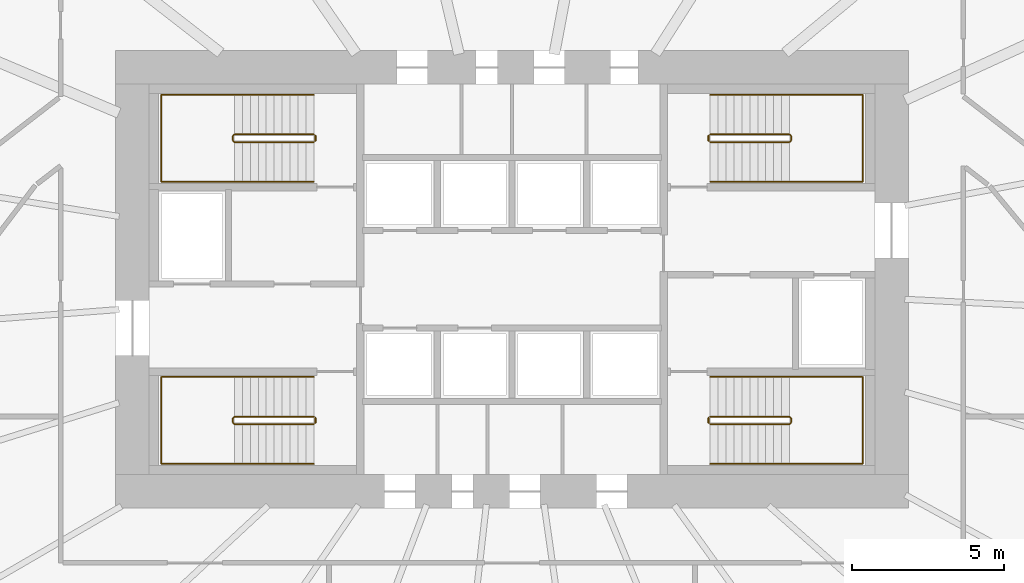
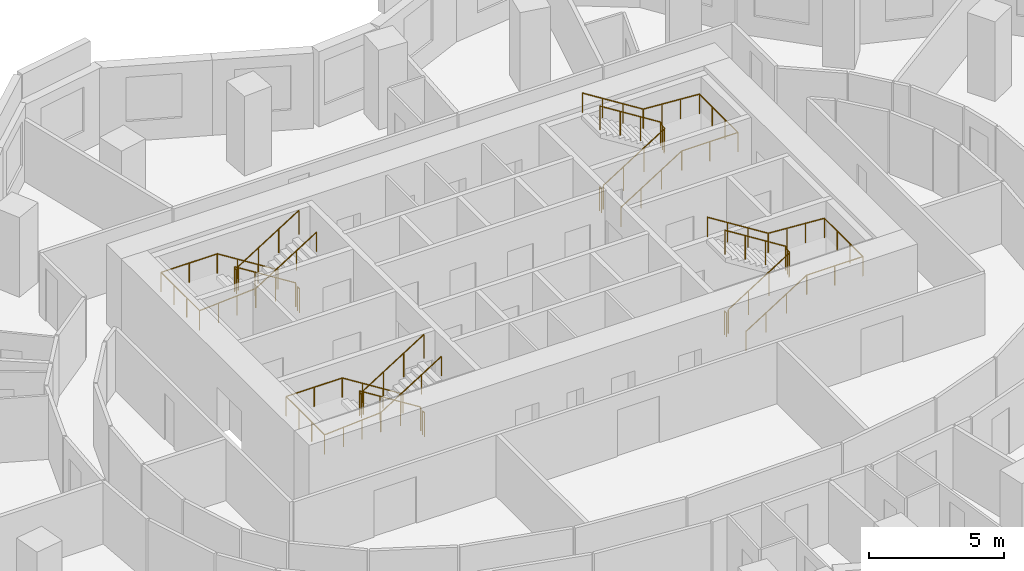
# One storey, part 10 of 10: 12 railings.
"""IFC4 building model written with IfcOpenShell, lengths in metres."""

from ifc_helpers import new_model, si_unit, direction, frame, origin, origin_2d, place, context, subcontext, project, spatial, circle, extrude, material, type_object, element, save


model = new_model("IFC4")

# Units and contexts
model_context = context("Model", 3, precision=1e-05, world=origin(), true_north=direction((0.0, 1.0)))
body_context = subcontext(model_context, "Body", "Model", "MODEL_VIEW")
ifc_project = project(units=[si_unit("LENGTHUNIT", "METRE"), si_unit("AREAUNIT", "SQUARE_METRE"), si_unit("VOLUMEUNIT", "CUBIC_METRE"), si_unit("PLANEANGLEUNIT", "RADIAN"), si_unit("MASSUNIT", "GRAM", prefix="KILO")], contexts=[model_context])

# Site, building, storey
site_placement = place(None, origin())
site = spatial("IfcSite", under=ifc_project, at=site_placement, CompositionType="ELEMENT")
building_placement = place(site_placement, origin())
building = spatial("IfcBuilding", under=site, at=building_placement, Name="Rubra Terraces Tower", CompositionType="ELEMENT")
storey_placement = place(building_placement, frame((0.0, 0.0, 110.39990234375)))
storey = spatial("IfcBuildingStorey", under=building, at=storey_placement, Name="L26", CompositionType="ELEMENT", Elevation=110.39990234375)

# Railings
ifc_material = material(Name="Stainless steel", Category="steel")
railing_type_1 = type_object("IfcRailingType", Name="Core stair guard 1100", PredefinedType="GUARDRAIL", material=ifc_material)
railing_1_placement = place(storey_placement, frame((-6.5, 0.0, 0.163818359375)))
element("IfcRailing", 1, at=railing_1_placement, inside=storey, type_object=railing_type_1, Name="L26 stair S1 guard 1", PredefinedType="GUARDRAIL", context=body_context, shape_type="SweptSolid", body=[
    extrude(circle(Radius=0.02392578125, at=origin_2d()), frame((0.0, 0.0, 1.076171875), z_axis=(-0.846360218416, 0.0, 0.532610909279), x_axis=(0.0, -1.0, 0.0)), (0.0, 0.0, 1.0), 3.072021484375),
    extrude(circle(Radius=0.02392578125, at=origin_2d()), frame((-2.60009765625, 0.0, 2.71240234375), z_axis=(-0.705375805398, -0.708833529934, 0.0), x_axis=(0.708833529934, -0.705375805398, 0.0)), (0.0, 0.0, 1.0), 0.070556640625),
    extrude(circle(Radius=0.02392578125, at=origin_2d()), frame((-2.64990234375, -0.050048828125, 2.71240234375), z_axis=(0.0, -1.0, 0.0), x_axis=(1.0, 0.0, 0.0)), (0.0, 0.0, 1.0), 0.14990234375),
    extrude(circle(Radius=0.02392578125, at=origin_2d()), frame((-2.64990234375, -0.199951171875, 2.71240234375), z_axis=(0.279546231943, -0.280916556609, 0.91811752648), x_axis=(0.708833529934, 0.705375805398, 0.0)), (0.0, 0.0, 1.0), 0.17822265625),
    extrude(circle(Radius=0.02392578125, at=origin_2d()), frame((-2.60009765625, -0.25, 2.8759765625), z_axis=(0.846324394277, 0.0, 0.532667832379), x_axis=(0.0, 1.0, 0.0)), (0.0, 0.0, 1.0), 3.072265625),
    extrude(circle(Radius=0.02099609375, at=origin_2d()), origin(), (0.0, 0.0, 1.0), 1.052001953125),
    extrude(circle(Radius=0.02099609375, at=origin_2d()), frame((-0.86669921875, 0.0, 0.54541015625)), (0.0, 0.0, 1.0), 1.052001953125),
    extrude(circle(Radius=0.02099609375, at=origin_2d()), frame((-1.7333984375, 0.0, 1.0908203125)), (0.0, 0.0, 1.0), 1.052001953125),
    extrude(circle(Radius=0.02099609375, at=origin_2d()), frame((-2.60009765625, 0.0, 1.63623046875)), (0.0, 0.0, 1.0), 1.052001953125),
    extrude(circle(Radius=0.02099609375, at=origin_2d()), frame((-2.64990234375, -0.050048828125, 1.63623046875)), (0.0, 0.0, 1.0), 1.052001953125),
    extrude(circle(Radius=0.02099609375, at=origin_2d()), frame((-2.64990234375, -0.199951171875, 1.63623046875)), (0.0, 0.0, 1.0), 1.052001953125),
    extrude(circle(Radius=0.02099609375, at=origin_2d()), frame((-2.60009765625, -0.25, 1.7998046875)), (0.0, 0.0, 1.0), 1.052001953125),
    extrude(circle(Radius=0.02099609375, at=origin_2d()), frame((-1.7333984375, -0.25, 2.34521484375)), (0.0, 0.0, 1.0), 1.052001953125),
    extrude(circle(Radius=0.02099609375, at=origin_2d()), frame((-0.86669921875, -0.25, 2.890869140625)), (0.0, 0.0, 1.0), 1.052001953125),
    extrude(circle(Radius=0.02099609375, at=origin_2d()), frame((0.0, -0.25, 3.436279296875)), (0.0, 0.0, 1.0), 1.052001953125),
])
railing_2_placement = place(storey_placement, frame((-6.449951171875, -0.050048828125, 0.0)))
element("IfcRailing", 2, at=railing_2_placement, inside=storey, type_object=railing_type_1, Name="L26 stair S1 guard 2", PredefinedType="GUARDRAIL", context=body_context, shape_type="SweptSolid", body=[
    extrude(circle(Radius=0.02392578125, at=origin_2d()), frame((0.0, 0.0, 1.076171875), z_axis=(0.0, -1.0, 0.0), x_axis=(1.0, 0.0, 0.0)), (0.0, 0.0, 1.0), 0.14990234375),
    extrude(circle(Radius=0.02099609375, at=origin_2d()), origin(), (0.0, 0.0, 1.0), 1.052001953125),
    extrude(circle(Radius=0.02099609375, at=origin_2d()), frame((0.0, -0.14990234375, 0.0)), (0.0, 0.0, 1.0), 1.052001953125),
])
railing_3_placement = place(storey_placement, frame((-6.5, 9.25, 0.163818359375)))
element("IfcRailing", 3, at=railing_3_placement, inside=storey, type_object=railing_type_1, Name="L26 stair S2 guard 1", PredefinedType="GUARDRAIL", context=body_context, shape_type="SweptSolid", body=[
    extrude(circle(Radius=0.02392578125, at=origin_2d()), frame((0.0, 0.0, 1.076171875), z_axis=(-0.846360218416, 0.0, 0.532610909279), x_axis=(0.0, -1.0, 0.0)), (0.0, 0.0, 1.0), 3.072021484375),
    extrude(circle(Radius=0.02392578125, at=origin_2d()), frame((-2.60009765625, 0.0, 2.71240234375), z_axis=(-0.705375805398, -0.708833529934, 0.0), x_axis=(0.708833529934, -0.705375805398, 0.0)), (0.0, 0.0, 1.0), 0.070556640625),
    extrude(circle(Radius=0.02392578125, at=origin_2d()), frame((-2.64990234375, -0.050048828125, 2.71240234375), z_axis=(0.0, -1.0, 0.0), x_axis=(1.0, 0.0, 0.0)), (0.0, 0.0, 1.0), 0.14990234375),
    extrude(circle(Radius=0.02392578125, at=origin_2d()), frame((-2.64990234375, -0.199951171875, 2.71240234375), z_axis=(0.279546231943, -0.280916556609, 0.91811752648), x_axis=(0.708833529934, 0.705375805398, 0.0)), (0.0, 0.0, 1.0), 0.17822265625),
    extrude(circle(Radius=0.02392578125, at=origin_2d()), frame((-2.60009765625, -0.25, 2.8759765625), z_axis=(0.846324394277, 0.0, 0.532667832379), x_axis=(0.0, 1.0, 0.0)), (0.0, 0.0, 1.0), 3.072265625),
    extrude(circle(Radius=0.02099609375, at=origin_2d()), origin(), (0.0, 0.0, 1.0), 1.052001953125),
    extrude(circle(Radius=0.02099609375, at=origin_2d()), frame((-0.86669921875, 0.0, 0.54541015625)), (0.0, 0.0, 1.0), 1.052001953125),
    extrude(circle(Radius=0.02099609375, at=origin_2d()), frame((-1.7333984375, 0.0, 1.0908203125)), (0.0, 0.0, 1.0), 1.052001953125),
    extrude(circle(Radius=0.02099609375, at=origin_2d()), frame((-2.60009765625, 0.0, 1.63623046875)), (0.0, 0.0, 1.0), 1.052001953125),
    extrude(circle(Radius=0.02099609375, at=origin_2d()), frame((-2.64990234375, -0.050048828125, 1.63623046875)), (0.0, 0.0, 1.0), 1.052001953125),
    extrude(circle(Radius=0.02099609375, at=origin_2d()), frame((-2.64990234375, -0.199951171875, 1.63623046875)), (0.0, 0.0, 1.0), 1.052001953125),
    extrude(circle(Radius=0.02099609375, at=origin_2d()), frame((-2.60009765625, -0.25, 1.7998046875)), (0.0, 0.0, 1.0), 1.052001953125),
    extrude(circle(Radius=0.02099609375, at=origin_2d()), frame((-1.7333984375, -0.25, 2.34521484375)), (0.0, 0.0, 1.0), 1.052001953125),
    extrude(circle(Radius=0.02099609375, at=origin_2d()), frame((-0.86669921875, -0.25, 2.890869140625)), (0.0, 0.0, 1.0), 1.052001953125),
    extrude(circle(Radius=0.02099609375, at=origin_2d()), frame((0.0, -0.25, 3.436279296875)), (0.0, 0.0, 1.0), 1.052001953125),
])
railing_4_placement = place(storey_placement, frame((-6.449951171875, 9.199951171875, 0.0)))
element("IfcRailing", 4, at=railing_4_placement, inside=storey, type_object=railing_type_1, Name="L26 stair S2 guard 2", PredefinedType="GUARDRAIL", context=body_context, shape_type="SweptSolid", body=[
    extrude(circle(Radius=0.02392578125, at=origin_2d()), frame((0.0, 0.0, 1.076171875), z_axis=(0.0, -1.0, 0.0), x_axis=(1.0, 0.0, 0.0)), (0.0, 0.0, 1.0), 0.14990234375),
    extrude(circle(Radius=0.02099609375, at=origin_2d()), origin(), (0.0, 0.0, 1.0), 1.052001953125),
    extrude(circle(Radius=0.02099609375, at=origin_2d()), frame((0.0, -0.14990234375, 0.0)), (0.0, 0.0, 1.0), 1.052001953125),
])
railing_5_placement = place(storey_placement, frame((6.5, 9.0, 0.163818359375)))
element("IfcRailing", 5, at=railing_5_placement, inside=storey, type_object=railing_type_1, Name="L26 stair S3 guard 1", PredefinedType="GUARDRAIL", context=body_context, shape_type="SweptSolid", body=[
    extrude(circle(Radius=0.02392578125, at=origin_2d()), frame((0.0, 0.0, 1.076171875), z_axis=(0.846360218416, 0.0, 0.532610909279), x_axis=(0.0, 1.0, 0.0)), (0.0, 0.0, 1.0), 3.072021484375),
    extrude(circle(Radius=0.02392578125, at=origin_2d()), frame((2.60009765625, 0.0, 2.71240234375), z_axis=(0.705375805398, 0.708833529934, 0.0), x_axis=(-0.708833529934, 0.705375805398, 0.0)), (0.0, 0.0, 1.0), 0.070556640625),
    extrude(circle(Radius=0.02392578125, at=origin_2d()), frame((2.64990234375, 0.050048828125, 2.71240234375), z_axis=(0.0, 1.0, 0.0), x_axis=(-1.0, 0.0, 0.0)), (0.0, 0.0, 1.0), 0.14990234375),
    extrude(circle(Radius=0.02392578125, at=origin_2d()), frame((2.64990234375, 0.199951171875, 2.71240234375), z_axis=(-0.279546231943, 0.280916556609, 0.91811752648), x_axis=(-0.708833529934, -0.705375805398, 0.0)), (0.0, 0.0, 1.0), 0.17822265625),
    extrude(circle(Radius=0.02392578125, at=origin_2d()), frame((2.60009765625, 0.25, 2.8759765625), z_axis=(-0.846324394277, 0.0, 0.532667832379), x_axis=(0.0, -1.0, 0.0)), (0.0, 0.0, 1.0), 3.072265625),
    extrude(circle(Radius=0.02099609375, at=origin_2d()), origin(), (0.0, 0.0, 1.0), 1.052001953125),
    extrude(circle(Radius=0.02099609375, at=origin_2d()), frame((0.86669921875, 0.0, 0.54541015625)), (0.0, 0.0, 1.0), 1.052001953125),
    extrude(circle(Radius=0.02099609375, at=origin_2d()), frame((1.7333984375, 0.0, 1.0908203125)), (0.0, 0.0, 1.0), 1.052001953125),
    extrude(circle(Radius=0.02099609375, at=origin_2d()), frame((2.60009765625, 0.0, 1.63623046875)), (0.0, 0.0, 1.0), 1.052001953125),
    extrude(circle(Radius=0.02099609375, at=origin_2d()), frame((2.64990234375, 0.050048828125, 1.63623046875)), (0.0, 0.0, 1.0), 1.052001953125),
    extrude(circle(Radius=0.02099609375, at=origin_2d()), frame((2.64990234375, 0.199951171875, 1.63623046875)), (0.0, 0.0, 1.0), 1.052001953125),
    extrude(circle(Radius=0.02099609375, at=origin_2d()), frame((2.60009765625, 0.25, 1.7998046875)), (0.0, 0.0, 1.0), 1.052001953125),
    extrude(circle(Radius=0.02099609375, at=origin_2d()), frame((1.7333984375, 0.25, 2.34521484375)), (0.0, 0.0, 1.0), 1.052001953125),
    extrude(circle(Radius=0.02099609375, at=origin_2d()), frame((0.86669921875, 0.25, 2.890869140625)), (0.0, 0.0, 1.0), 1.052001953125),
    extrude(circle(Radius=0.02099609375, at=origin_2d()), frame((0.0, 0.25, 3.436279296875)), (0.0, 0.0, 1.0), 1.052001953125),
])
railing_6_placement = place(storey_placement, frame((6.449951171875, 9.050048828125, 0.0)))
element("IfcRailing", 6, at=railing_6_placement, inside=storey, type_object=railing_type_1, Name="L26 stair S3 guard 2", PredefinedType="GUARDRAIL", context=body_context, shape_type="SweptSolid", body=[
    extrude(circle(Radius=0.02392578125, at=origin_2d()), frame((0.0, 0.0, 1.076171875), z_axis=(0.0, 1.0, 0.0), x_axis=(-1.0, 0.0, 0.0)), (0.0, 0.0, 1.0), 0.14990234375),
    extrude(circle(Radius=0.02099609375, at=origin_2d()), origin(), (0.0, 0.0, 1.0), 1.052001953125),
    extrude(circle(Radius=0.02099609375, at=origin_2d()), frame((0.0, 0.14990234375, 0.0)), (0.0, 0.0, 1.0), 1.052001953125),
])
railing_7_placement = place(storey_placement, frame((6.5, -0.25, 0.163818359375)))
element("IfcRailing", 7, at=railing_7_placement, inside=storey, type_object=railing_type_1, Name="L26 stair S4 guard 1", PredefinedType="GUARDRAIL", context=body_context, shape_type="SweptSolid", body=[
    extrude(circle(Radius=0.02392578125, at=origin_2d()), frame((0.0, 0.0, 1.076171875), z_axis=(0.846360218416, 0.0, 0.532610909279), x_axis=(0.0, 1.0, 0.0)), (0.0, 0.0, 1.0), 3.072021484375),
    extrude(circle(Radius=0.02392578125, at=origin_2d()), frame((2.60009765625, 0.0, 2.71240234375), z_axis=(0.705375805398, 0.708833529934, 0.0), x_axis=(-0.708833529934, 0.705375805398, 0.0)), (0.0, 0.0, 1.0), 0.070556640625),
    extrude(circle(Radius=0.02392578125, at=origin_2d()), frame((2.64990234375, 0.050048828125, 2.71240234375), z_axis=(0.0, 1.0, 0.0), x_axis=(-1.0, 0.0, 0.0)), (0.0, 0.0, 1.0), 0.14990234375),
    extrude(circle(Radius=0.02392578125, at=origin_2d()), frame((2.64990234375, 0.199951171875, 2.71240234375), z_axis=(-0.279546231943, 0.280916556609, 0.91811752648), x_axis=(-0.708833529934, -0.705375805398, 0.0)), (0.0, 0.0, 1.0), 0.17822265625),
    extrude(circle(Radius=0.02392578125, at=origin_2d()), frame((2.60009765625, 0.25, 2.8759765625), z_axis=(-0.846324394277, 0.0, 0.532667832379), x_axis=(0.0, -1.0, 0.0)), (0.0, 0.0, 1.0), 3.072265625),
    extrude(circle(Radius=0.02099609375, at=origin_2d()), origin(), (0.0, 0.0, 1.0), 1.052001953125),
    extrude(circle(Radius=0.02099609375, at=origin_2d()), frame((0.86669921875, 0.0, 0.54541015625)), (0.0, 0.0, 1.0), 1.052001953125),
    extrude(circle(Radius=0.02099609375, at=origin_2d()), frame((1.7333984375, 0.0, 1.0908203125)), (0.0, 0.0, 1.0), 1.052001953125),
    extrude(circle(Radius=0.02099609375, at=origin_2d()), frame((2.60009765625, 0.0, 1.63623046875)), (0.0, 0.0, 1.0), 1.052001953125),
    extrude(circle(Radius=0.02099609375, at=origin_2d()), frame((2.64990234375, 0.050048828125, 1.63623046875)), (0.0, 0.0, 1.0), 1.052001953125),
    extrude(circle(Radius=0.02099609375, at=origin_2d()), frame((2.64990234375, 0.199951171875, 1.63623046875)), (0.0, 0.0, 1.0), 1.052001953125),
    extrude(circle(Radius=0.02099609375, at=origin_2d()), frame((2.60009765625, 0.25, 1.7998046875)), (0.0, 0.0, 1.0), 1.052001953125),
    extrude(circle(Radius=0.02099609375, at=origin_2d()), frame((1.7333984375, 0.25, 2.34521484375)), (0.0, 0.0, 1.0), 1.052001953125),
    extrude(circle(Radius=0.02099609375, at=origin_2d()), frame((0.86669921875, 0.25, 2.890869140625)), (0.0, 0.0, 1.0), 1.052001953125),
    extrude(circle(Radius=0.02099609375, at=origin_2d()), frame((0.0, 0.25, 3.436279296875)), (0.0, 0.0, 1.0), 1.052001953125),
])
railing_8_placement = place(storey_placement, frame((6.449951171875, -0.199951171875, 0.0)))
element("IfcRailing", 8, at=railing_8_placement, inside=storey, type_object=railing_type_1, Name="L26 stair S4 guard 2", PredefinedType="GUARDRAIL", context=body_context, shape_type="SweptSolid", body=[
    extrude(circle(Radius=0.02392578125, at=origin_2d()), frame((0.0, 0.0, 1.076171875), z_axis=(0.0, 1.0, 0.0), x_axis=(-1.0, 0.0, 0.0)), (0.0, 0.0, 1.0), 0.14990234375),
    extrude(circle(Radius=0.02099609375, at=origin_2d()), origin(), (0.0, 0.0, 1.0), 1.052001953125),
    extrude(circle(Radius=0.02099609375, at=origin_2d()), frame((0.0, 0.14990234375, 0.0)), (0.0, 0.0, 1.0), 1.052001953125),
])
railing_type_2 = type_object("IfcRailingType", Name="Core stair handrail 900", PredefinedType="HANDRAIL", material=ifc_material)
railing_9_placement = place(storey_placement, frame((-6.5, 1.300048828125, 0.163818359375)))
element("IfcRailing", 9, at=railing_9_placement, inside=storey, type_object=railing_type_2, Name="L26 stair S1 handrail 1", PredefinedType="HANDRAIL", context=body_context, shape_type="SweptSolid", body=[
    extrude(circle(Radius=0.02392578125, at=origin_2d()), frame((0.0, 0.0, 0.8759765625), z_axis=(-0.846360218416, 0.0, 0.532610909279), x_axis=(0.0, -1.0, 0.0)), (0.0, 0.0, 1.0), 3.072021484375),
    extrude(circle(Radius=0.02392578125, at=origin_2d()), frame((-2.60009765625, 0.0, 2.51220703125), z_axis=(-1.0, 0.0, 0.0), x_axis=(0.0, -1.0, 0.0)), (0.0, 0.0, 1.0), 2.39990234375),
    extrude(circle(Radius=0.02392578125, at=origin_2d()), frame((-5.0, 0.0, 2.51220703125), z_axis=(0.0, -1.0, 0.0), x_axis=(1.0, 0.0, 0.0)), (0.0, 0.0, 1.0), 2.85009765625),
    extrude(circle(Radius=0.02392578125, at=origin_2d()), frame((-5.0, -2.85009765625, 2.51220703125), z_axis=(0.997685257876, 0.0, 0.068000928055), x_axis=(0.0, 1.0, 0.0)), (0.0, 0.0, 1.0), 2.405517578125),
    extrude(circle(Radius=0.02392578125, at=origin_2d()), frame((-2.60009765625, -2.85009765625, 2.67578125), z_axis=(0.846324394277, 0.0, 0.532667832379), x_axis=(0.0, 1.0, 0.0)), (0.0, 0.0, 1.0), 3.072265625),
    extrude(circle(Radius=0.02099609375, at=origin_2d()), origin(), (0.0, 0.0, 1.0), 0.851806640625),
    extrude(circle(Radius=0.02099609375, at=origin_2d()), frame((-0.86669921875, 0.0, 0.54541015625)), (0.0, 0.0, 1.0), 0.851806640625),
    extrude(circle(Radius=0.02099609375, at=origin_2d()), frame((-1.7333984375, 0.0, 1.0908203125)), (0.0, 0.0, 1.0), 0.851806640625),
    extrude(circle(Radius=0.02099609375, at=origin_2d()), frame((-2.60009765625, 0.0, 1.63623046875)), (0.0, 0.0, 1.0), 0.851806640625),
    extrude(circle(Radius=0.02099609375, at=origin_2d()), frame((-3.800048828125, 0.0, 1.63623046875)), (0.0, 0.0, 1.0), 0.851806640625),
    extrude(circle(Radius=0.02099609375, at=origin_2d()), frame((-5.0, 0.0, 1.63623046875)), (0.0, 0.0, 1.0), 0.851806640625),
    extrude(circle(Radius=0.02099609375, at=origin_2d()), frame((-5.0, -0.949951171875, 1.63623046875)), (0.0, 0.0, 1.0), 0.851806640625),
    extrude(circle(Radius=0.02099609375, at=origin_2d()), frame((-5.0, -1.900146484375, 1.63623046875)), (0.0, 0.0, 1.0), 0.851806640625),
    extrude(circle(Radius=0.02099609375, at=origin_2d()), frame((-5.0, -2.85009765625, 1.63623046875)), (0.0, 0.0, 1.0), 0.851806640625),
    extrude(circle(Radius=0.02099609375, at=origin_2d()), frame((-4.199951171875, -2.85009765625, 1.690673828125)), (0.0, 0.0, 1.0), 0.851806640625),
    extrude(circle(Radius=0.02099609375, at=origin_2d()), frame((-3.400146484375, -2.85009765625, 1.745361328125)), (0.0, 0.0, 1.0), 0.851806640625),
    extrude(circle(Radius=0.02099609375, at=origin_2d()), frame((-2.60009765625, -2.85009765625, 1.7998046875)), (0.0, 0.0, 1.0), 0.851806640625),
    extrude(circle(Radius=0.02099609375, at=origin_2d()), frame((-1.7333984375, -2.85009765625, 2.34521484375)), (0.0, 0.0, 1.0), 0.851806640625),
    extrude(circle(Radius=0.02099609375, at=origin_2d()), frame((-0.86669921875, -2.85009765625, 2.890869140625)), (0.0, 0.0, 1.0), 0.851806640625),
    extrude(circle(Radius=0.02099609375, at=origin_2d()), frame((0.0, -2.85009765625, 3.436279296875)), (0.0, 0.0, 1.0), 0.851806640625),
])
railing_10_placement = place(storey_placement, frame((-6.5, 10.550048828125, 0.163818359375)))
element("IfcRailing", 10, at=railing_10_placement, inside=storey, type_object=railing_type_2, Name="L26 stair S2 handrail 1", PredefinedType="HANDRAIL", context=body_context, shape_type="SweptSolid", body=[
    extrude(circle(Radius=0.02392578125, at=origin_2d()), frame((0.0, 0.0, 0.8759765625), z_axis=(-0.846360218416, 0.0, 0.532610909279), x_axis=(0.0, -1.0, 0.0)), (0.0, 0.0, 1.0), 3.072021484375),
    extrude(circle(Radius=0.02392578125, at=origin_2d()), frame((-2.60009765625, 0.0, 2.51220703125), z_axis=(-1.0, 0.0, 0.0), x_axis=(0.0, -1.0, 0.0)), (0.0, 0.0, 1.0), 2.39990234375),
    extrude(circle(Radius=0.02392578125, at=origin_2d()), frame((-5.0, 0.0, 2.51220703125), z_axis=(0.0, -1.0, 0.0), x_axis=(1.0, 0.0, 0.0)), (0.0, 0.0, 1.0), 2.85009765625),
    extrude(circle(Radius=0.02392578125, at=origin_2d()), frame((-5.0, -2.85009765625, 2.51220703125), z_axis=(0.997685257876, 0.0, 0.068000928055), x_axis=(0.0, 1.0, 0.0)), (0.0, 0.0, 1.0), 2.405517578125),
    extrude(circle(Radius=0.02392578125, at=origin_2d()), frame((-2.60009765625, -2.85009765625, 2.67578125), z_axis=(0.846324394277, 0.0, 0.532667832379), x_axis=(0.0, 1.0, 0.0)), (0.0, 0.0, 1.0), 3.072265625),
    extrude(circle(Radius=0.02099609375, at=origin_2d()), origin(), (0.0, 0.0, 1.0), 0.851806640625),
    extrude(circle(Radius=0.02099609375, at=origin_2d()), frame((-0.86669921875, 0.0, 0.54541015625)), (0.0, 0.0, 1.0), 0.851806640625),
    extrude(circle(Radius=0.02099609375, at=origin_2d()), frame((-1.7333984375, 0.0, 1.0908203125)), (0.0, 0.0, 1.0), 0.851806640625),
    extrude(circle(Radius=0.02099609375, at=origin_2d()), frame((-2.60009765625, 0.0, 1.63623046875)), (0.0, 0.0, 1.0), 0.851806640625),
    extrude(circle(Radius=0.02099609375, at=origin_2d()), frame((-3.800048828125, 0.0, 1.63623046875)), (0.0, 0.0, 1.0), 0.851806640625),
    extrude(circle(Radius=0.02099609375, at=origin_2d()), frame((-5.0, 0.0, 1.63623046875)), (0.0, 0.0, 1.0), 0.851806640625),
    extrude(circle(Radius=0.02099609375, at=origin_2d()), frame((-5.0, -0.949951171875, 1.63623046875)), (0.0, 0.0, 1.0), 0.851806640625),
    extrude(circle(Radius=0.02099609375, at=origin_2d()), frame((-5.0, -1.900146484375, 1.63623046875)), (0.0, 0.0, 1.0), 0.851806640625),
    extrude(circle(Radius=0.02099609375, at=origin_2d()), frame((-5.0, -2.85009765625, 1.63623046875)), (0.0, 0.0, 1.0), 0.851806640625),
    extrude(circle(Radius=0.02099609375, at=origin_2d()), frame((-4.199951171875, -2.85009765625, 1.690673828125)), (0.0, 0.0, 1.0), 0.851806640625),
    extrude(circle(Radius=0.02099609375, at=origin_2d()), frame((-3.400146484375, -2.85009765625, 1.745361328125)), (0.0, 0.0, 1.0), 0.851806640625),
    extrude(circle(Radius=0.02099609375, at=origin_2d()), frame((-2.60009765625, -2.85009765625, 1.7998046875)), (0.0, 0.0, 1.0), 0.851806640625),
    extrude(circle(Radius=0.02099609375, at=origin_2d()), frame((-1.7333984375, -2.85009765625, 2.34521484375)), (0.0, 0.0, 1.0), 0.851806640625),
    extrude(circle(Radius=0.02099609375, at=origin_2d()), frame((-0.86669921875, -2.85009765625, 2.890869140625)), (0.0, 0.0, 1.0), 0.851806640625),
    extrude(circle(Radius=0.02099609375, at=origin_2d()), frame((0.0, -2.85009765625, 3.436279296875)), (0.0, 0.0, 1.0), 0.851806640625),
])
railing_11_placement = place(storey_placement, frame((6.5, 7.699951171875, 0.163818359375)))
element("IfcRailing", 11, at=railing_11_placement, inside=storey, type_object=railing_type_2, Name="L26 stair S3 handrail 1", PredefinedType="HANDRAIL", context=body_context, shape_type="SweptSolid", body=[
    extrude(circle(Radius=0.02392578125, at=origin_2d()), frame((0.0, 0.0, 0.8759765625), z_axis=(0.846360218416, 0.0, 0.532610909279), x_axis=(0.0, 1.0, 0.0)), (0.0, 0.0, 1.0), 3.072021484375),
    extrude(circle(Radius=0.02392578125, at=origin_2d()), frame((2.60009765625, 0.0, 2.51220703125), z_axis=(1.0, 0.0, 0.0), x_axis=(0.0, 1.0, 0.0)), (0.0, 0.0, 1.0), 2.39990234375),
    extrude(circle(Radius=0.02392578125, at=origin_2d()), frame((5.0, 0.0, 2.51220703125), z_axis=(0.0, 1.0, 0.0), x_axis=(-1.0, 0.0, 0.0)), (0.0, 0.0, 1.0), 2.85009765625),
    extrude(circle(Radius=0.02392578125, at=origin_2d()), frame((5.0, 2.85009765625, 2.51220703125), z_axis=(-0.997685257876, 0.0, 0.068000928055), x_axis=(0.0, -1.0, 0.0)), (0.0, 0.0, 1.0), 2.405517578125),
    extrude(circle(Radius=0.02392578125, at=origin_2d()), frame((2.60009765625, 2.85009765625, 2.67578125), z_axis=(-0.846324394277, 0.0, 0.532667832379), x_axis=(0.0, -1.0, 0.0)), (0.0, 0.0, 1.0), 3.072265625),
    extrude(circle(Radius=0.02099609375, at=origin_2d()), origin(), (0.0, 0.0, 1.0), 0.851806640625),
    extrude(circle(Radius=0.02099609375, at=origin_2d()), frame((0.86669921875, 0.0, 0.54541015625)), (0.0, 0.0, 1.0), 0.851806640625),
    extrude(circle(Radius=0.02099609375, at=origin_2d()), frame((1.7333984375, 0.0, 1.0908203125)), (0.0, 0.0, 1.0), 0.851806640625),
    extrude(circle(Radius=0.02099609375, at=origin_2d()), frame((2.60009765625, 0.0, 1.63623046875)), (0.0, 0.0, 1.0), 0.851806640625),
    extrude(circle(Radius=0.02099609375, at=origin_2d()), frame((3.800048828125, 0.0, 1.63623046875)), (0.0, 0.0, 1.0), 0.851806640625),
    extrude(circle(Radius=0.02099609375, at=origin_2d()), frame((5.0, 0.0, 1.63623046875)), (0.0, 0.0, 1.0), 0.851806640625),
    extrude(circle(Radius=0.02099609375, at=origin_2d()), frame((5.0, 0.949951171875, 1.63623046875)), (0.0, 0.0, 1.0), 0.851806640625),
    extrude(circle(Radius=0.02099609375, at=origin_2d()), frame((5.0, 1.900146484375, 1.63623046875)), (0.0, 0.0, 1.0), 0.851806640625),
    extrude(circle(Radius=0.02099609375, at=origin_2d()), frame((5.0, 2.85009765625, 1.63623046875)), (0.0, 0.0, 1.0), 0.851806640625),
    extrude(circle(Radius=0.02099609375, at=origin_2d()), frame((4.199951171875, 2.85009765625, 1.690673828125)), (0.0, 0.0, 1.0), 0.851806640625),
    extrude(circle(Radius=0.02099609375, at=origin_2d()), frame((3.400146484375, 2.85009765625, 1.745361328125)), (0.0, 0.0, 1.0), 0.851806640625),
    extrude(circle(Radius=0.02099609375, at=origin_2d()), frame((2.60009765625, 2.85009765625, 1.7998046875)), (0.0, 0.0, 1.0), 0.851806640625),
    extrude(circle(Radius=0.02099609375, at=origin_2d()), frame((1.7333984375, 2.85009765625, 2.34521484375)), (0.0, 0.0, 1.0), 0.851806640625),
    extrude(circle(Radius=0.02099609375, at=origin_2d()), frame((0.86669921875, 2.85009765625, 2.890869140625)), (0.0, 0.0, 1.0), 0.851806640625),
    extrude(circle(Radius=0.02099609375, at=origin_2d()), frame((0.0, 2.85009765625, 3.436279296875)), (0.0, 0.0, 1.0), 0.851806640625),
])
railing_12_placement = place(storey_placement, frame((6.5, -1.550048828125, 0.163818359375)))
element("IfcRailing", 12, at=railing_12_placement, inside=storey, type_object=railing_type_2, Name="L26 stair S4 handrail 1", PredefinedType="HANDRAIL", context=body_context, shape_type="SweptSolid", body=[
    extrude(circle(Radius=0.02392578125, at=origin_2d()), frame((0.0, 0.0, 0.8759765625), z_axis=(0.846360218416, 0.0, 0.532610909279), x_axis=(0.0, 1.0, 0.0)), (0.0, 0.0, 1.0), 3.072021484375),
    extrude(circle(Radius=0.02392578125, at=origin_2d()), frame((2.60009765625, 0.0, 2.51220703125), z_axis=(1.0, 0.0, 0.0), x_axis=(0.0, 1.0, 0.0)), (0.0, 0.0, 1.0), 2.39990234375),
    extrude(circle(Radius=0.02392578125, at=origin_2d()), frame((5.0, 0.0, 2.51220703125), z_axis=(0.0, 1.0, 0.0), x_axis=(-1.0, 0.0, 0.0)), (0.0, 0.0, 1.0), 2.85009765625),
    extrude(circle(Radius=0.02392578125, at=origin_2d()), frame((5.0, 2.85009765625, 2.51220703125), z_axis=(-0.997685257876, 0.0, 0.068000928055), x_axis=(0.0, -1.0, 0.0)), (0.0, 0.0, 1.0), 2.405517578125),
    extrude(circle(Radius=0.02392578125, at=origin_2d()), frame((2.60009765625, 2.85009765625, 2.67578125), z_axis=(-0.846324394277, 0.0, 0.532667832379), x_axis=(0.0, -1.0, 0.0)), (0.0, 0.0, 1.0), 3.072265625),
    extrude(circle(Radius=0.02099609375, at=origin_2d()), origin(), (0.0, 0.0, 1.0), 0.851806640625),
    extrude(circle(Radius=0.02099609375, at=origin_2d()), frame((0.86669921875, 0.0, 0.54541015625)), (0.0, 0.0, 1.0), 0.851806640625),
    extrude(circle(Radius=0.02099609375, at=origin_2d()), frame((1.7333984375, 0.0, 1.0908203125)), (0.0, 0.0, 1.0), 0.851806640625),
    extrude(circle(Radius=0.02099609375, at=origin_2d()), frame((2.60009765625, 0.0, 1.63623046875)), (0.0, 0.0, 1.0), 0.851806640625),
    extrude(circle(Radius=0.02099609375, at=origin_2d()), frame((3.800048828125, 0.0, 1.63623046875)), (0.0, 0.0, 1.0), 0.851806640625),
    extrude(circle(Radius=0.02099609375, at=origin_2d()), frame((5.0, 0.0, 1.63623046875)), (0.0, 0.0, 1.0), 0.851806640625),
    extrude(circle(Radius=0.02099609375, at=origin_2d()), frame((5.0, 0.949951171875, 1.63623046875)), (0.0, 0.0, 1.0), 0.851806640625),
    extrude(circle(Radius=0.02099609375, at=origin_2d()), frame((5.0, 1.900146484375, 1.63623046875)), (0.0, 0.0, 1.0), 0.851806640625),
    extrude(circle(Radius=0.02099609375, at=origin_2d()), frame((5.0, 2.85009765625, 1.63623046875)), (0.0, 0.0, 1.0), 0.851806640625),
    extrude(circle(Radius=0.02099609375, at=origin_2d()), frame((4.199951171875, 2.85009765625, 1.690673828125)), (0.0, 0.0, 1.0), 0.851806640625),
    extrude(circle(Radius=0.02099609375, at=origin_2d()), frame((3.400146484375, 2.85009765625, 1.745361328125)), (0.0, 0.0, 1.0), 0.851806640625),
    extrude(circle(Radius=0.02099609375, at=origin_2d()), frame((2.60009765625, 2.85009765625, 1.7998046875)), (0.0, 0.0, 1.0), 0.851806640625),
    extrude(circle(Radius=0.02099609375, at=origin_2d()), frame((1.7333984375, 2.85009765625, 2.34521484375)), (0.0, 0.0, 1.0), 0.851806640625),
    extrude(circle(Radius=0.02099609375, at=origin_2d()), frame((0.86669921875, 2.85009765625, 2.890869140625)), (0.0, 0.0, 1.0), 0.851806640625),
    extrude(circle(Radius=0.02099609375, at=origin_2d()), frame((0.0, 2.85009765625, 3.436279296875)), (0.0, 0.0, 1.0), 0.851806640625),
])

save(model, "model.ifc")
